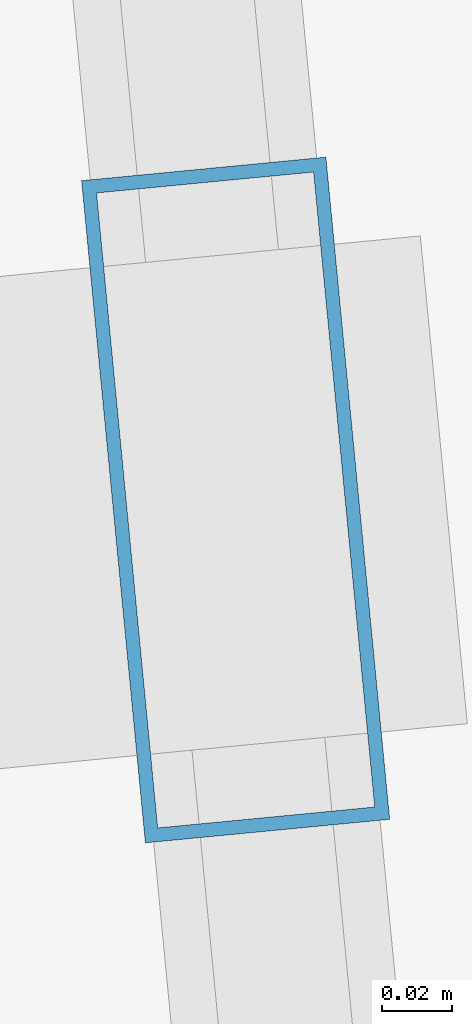
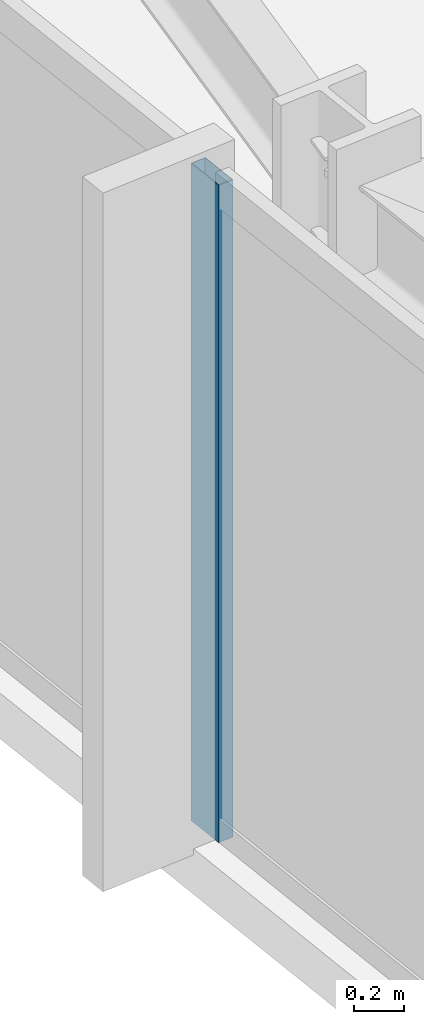
# One storey, part 8 of 32: 1 member, 1 element without a shape of its own.
"""IFC4 building model written with IfcOpenShell, lengths in metres."""

from ifc_helpers import new_model, si_unit, direction, frame, origin, origin_2d, place, context, subcontext, project, spatial, hollow_rectangle, extrude, material, material_profile, profile_set, type_object, element, aggregate, save


model = new_model("IFC4")

# Units and contexts
model_context = context("Model", 3, precision=1e-05, world=origin(), true_north=direction((0.0, 1.0)))
body_context = subcontext(model_context, "Body", "Model", "MODEL_VIEW")
ifc_project = project(units=[si_unit("LENGTHUNIT", "METRE"), si_unit("AREAUNIT", "SQUARE_METRE"), si_unit("VOLUMEUNIT", "CUBIC_METRE"), si_unit("PLANEANGLEUNIT", "RADIAN"), si_unit("MASSUNIT", "GRAM", prefix="KILO")], contexts=[model_context])

# Site, building, storey
site_placement = place(None, origin())
site = spatial("IfcSite", under=ifc_project, at=site_placement, CompositionType="ELEMENT")
building_placement = place(site_placement, origin())
building = spatial("IfcBuilding", under=site, at=building_placement, Name="Yelkora Congress Tower", CompositionType="ELEMENT")
storey_placement = place(building_placement, frame((0.0, 0.0, 93.10009765625)))
storey = spatial("IfcBuildingStorey", under=building, at=storey_placement, Name="L24", CompositionType="ELEMENT", Elevation=93.10009765625)

# Curtain wall, member
ifc_material_1 = material(Name="Anodised aluminium and insulated glass", Category="aluminium")
curtain_wall_type = type_object("IfcCurtainWallType", Name="CW-SYS-B2", PredefinedType="NOTDEFINED", material=ifc_material_1)
curtain_wall_placement = place(storey_placement, origin())
curtain_wall = element("IfcCurtainWall", 1, at=curtain_wall_placement, inside=storey, type_object=curtain_wall_type, Name="L24 Unitised Curtain Wall 5", PredefinedType="NOTDEFINED")
ifc_material_2 = material(Name="Anodised aluminium 6063-T6", Category="aluminium")
ifc_material_profile = material_profile(ifc_material_2, hollow_rectangle(XDim=0.070068359375, YDim=0.18994140625, WallThickness=0.00390625, at=origin_2d()), Name="ALU 70x190x4")
ifc_profile_set = profile_set([ifc_material_profile], Name="Anodised aluminium 6063-T6")
member_type = type_object("IfcMemberType", Name="MEM-ML-B2", PredefinedType="MULLION", material=ifc_profile_set)
member_placement = place(storey_placement, frame((14.47021484375, 35.0341796875, 0.0), z_axis=(0.0, 0.0, 1.0), x_axis=(-0.995396507508, -0.095842541913, 0.0)))
member = element("IfcMember", 2, at=member_placement, type_object=member_type, Name="CW-B2 mullion 4", PredefinedType="MULLION", context=body_context, shape_type="SweptSolid", body=[
    extrude(hollow_rectangle(XDim=0.070068359375, YDim=0.18994140625, WallThickness=0.00390625, at=origin_2d()), origin(), (0.0, 0.0, 1.0), 3.179931640625),
])
aggregate(curtain_wall, [member])

save(model, "model.ifc")
